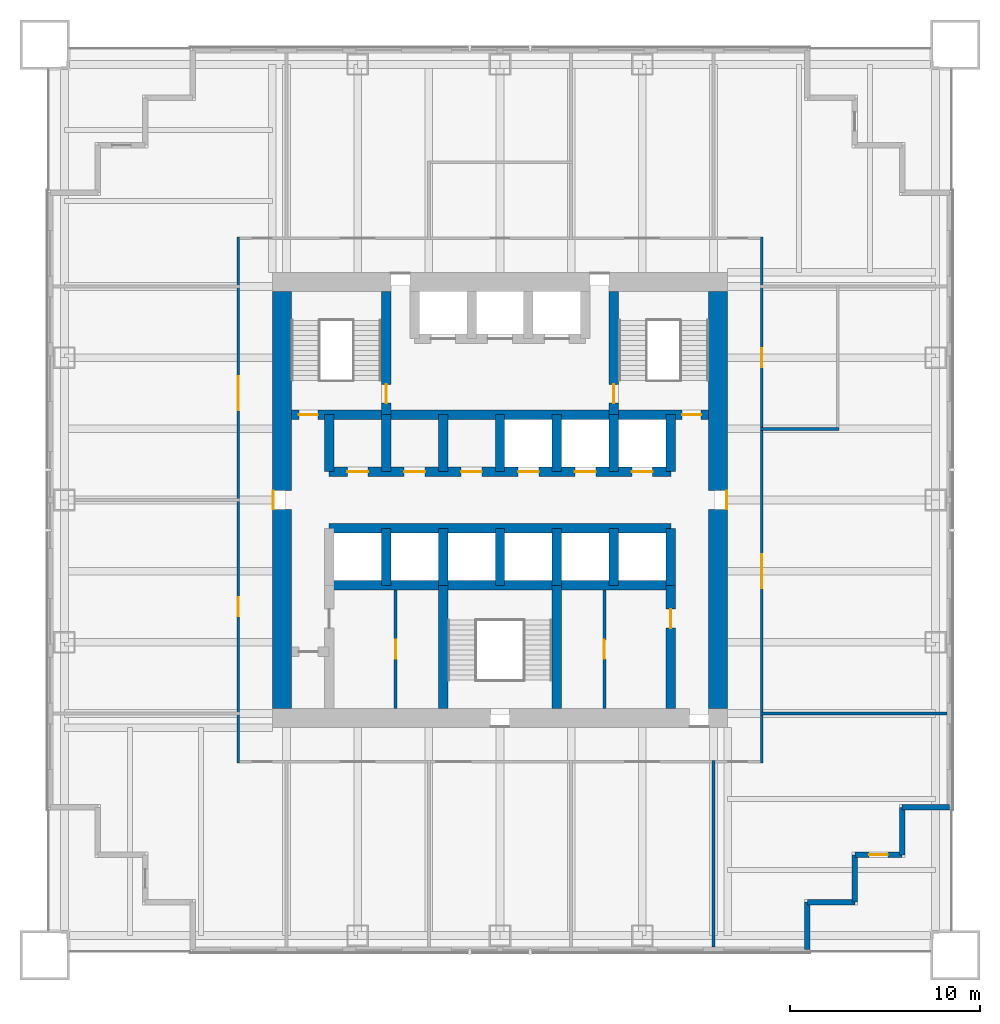
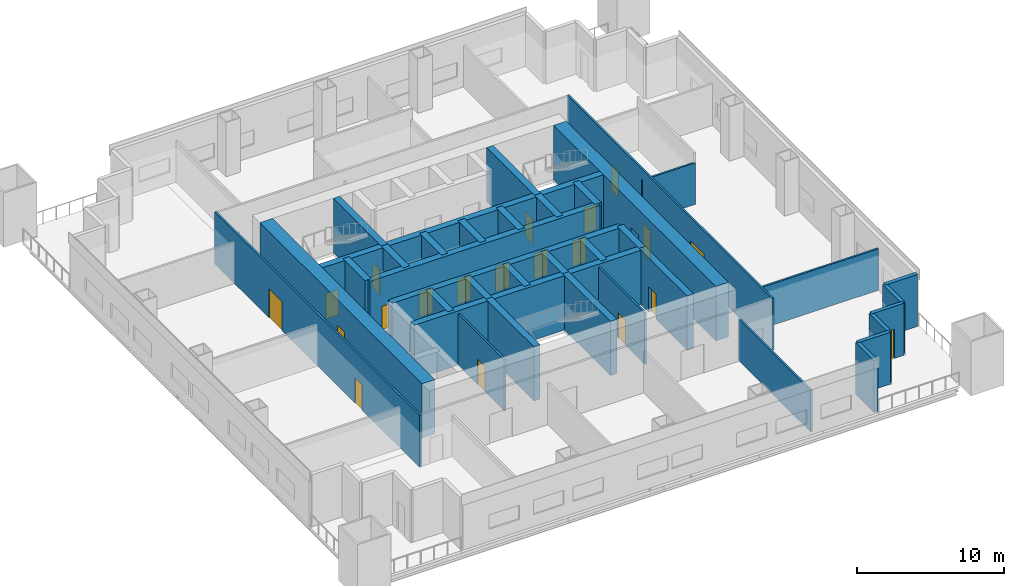
# One storey, part 3 of 7: 37 walls, 20 doors, 20 openings.
"""IFC4 building model written with IfcOpenShell, lengths in metres."""

from ifc_helpers import new_model, si_unit, direction, frame, frame_2d, origin, place, context, subcontext, project, spatial, rectangle, extrude, material, layer, layer_set, type_object, element, fill, save


model = new_model("IFC4")

# Units and contexts
model_context = context("Model", 3, precision=1e-05, world=origin(), true_north=direction((0.0, 1.0)))
body_context = subcontext(model_context, "Body", "Model", "MODEL_VIEW")
ifc_project = project(units=[si_unit("LENGTHUNIT", "METRE"), si_unit("AREAUNIT", "SQUARE_METRE"), si_unit("VOLUMEUNIT", "CUBIC_METRE"), si_unit("PLANEANGLEUNIT", "RADIAN"), si_unit("MASSUNIT", "GRAM", prefix="KILO")], contexts=[model_context])

# Site, building, storey
site_placement = place(None, origin())
site = spatial("IfcSite", under=ifc_project, at=site_placement, CompositionType="ELEMENT")
building_placement = place(site_placement, origin())
building = spatial("IfcBuilding", under=site, at=building_placement, Name="Tarangal Relay Tower", CompositionType="ELEMENT")
storey_placement = place(building_placement, frame((0.0, 0.0, 122.39990234375)))
storey = spatial("IfcBuildingStorey", under=building, at=storey_placement, Name="L24", CompositionType="ELEMENT", Elevation=122.39990234375)

# Wall, openings, doors
ifc_material_1 = material(Name="Concrete fc' 60 MPa", Category="concrete")
ifc_layer_1 = layer(ifc_material_1, 0.5)
ifc_layer_set_1 = layer_set([ifc_layer_1], Name="Core inner wall 500")
wall_type_1 = type_object("IfcWallType", Name="Core inner wall 500", PredefinedType="SHEAR", material=ifc_layer_set_1)
wall_1_placement = place(storey_placement, frame((-11.0, 4.5, 0.0), z_axis=(0.0, 0.0, 1.0), x_axis=(1.0, 0.0, 0.0)))
wall_1 = element("IfcWall", 1, at=wall_1_placement, inside=storey, type_object=wall_type_1, Name="Core wall Y45 L24", PredefinedType="SHEAR", context=body_context, shape_type="SweptSolid", body=[
    extrude(rectangle(XDim=22.0, YDim=0.5, at=frame_2d((11.0, 0.0))), origin(), (0.0, 0.0, 1.0), 4.5),
])
opening_1_placement = place(wall_1_placement, frame((0.39990234375, 0.0, 0.0)))
opening_1 = element("IfcOpeningElement", 2, at=opening_1_placement, cuts=wall_1, Name="Opening FD1", PredefinedType="OPENING", context=body_context, shape_type="SweptSolid", body=[
    extrude(rectangle(XDim=1.0, YDim=2.10009765625, at=frame_2d((0.5, 1.050048828125))), frame((0.0, 0.260009765625, 0.0), z_axis=(0.0, -1.0, 0.0), x_axis=(1.0, 0.0, 0.0)), (0.0, 0.0, 1.0), 0.52001953125),
])
opening_2_placement = place(wall_1_placement, frame((20.60009765625, 0.0, 0.0)))
opening_2 = element("IfcOpeningElement", 3, at=opening_2_placement, cuts=wall_1, Name="Opening FD1", PredefinedType="OPENING", context=body_context, shape_type="SweptSolid", body=[
    extrude(rectangle(XDim=1.0, YDim=2.10009765625, at=frame_2d((0.5, 1.050048828125))), frame((0.0, 0.260009765625, 0.0), z_axis=(0.0, -1.0, 0.0), x_axis=(1.0, 0.0, 0.0)), (0.0, 0.0, 1.0), 0.52001953125),
])
ifc_material_2 = material(Name="Steel door with hardwood frame", Category="steel")
door_type_1 = type_object("IfcDoorType", Name="Fire door 1000 x 2100", OperationType="SINGLE_SWING_LEFT", PredefinedType="DOOR", material=ifc_material_2)
door_1_placement = place(opening_1_placement, origin())
door_1 = element("IfcDoor", 4, at=door_1_placement, inside=storey, type_object=door_type_1, Name="Stair ST-A door from corridor L24", OperationType="SINGLE_SWING_LEFT", OverallHeight=2.10009765625, OverallWidth=1.0, PredefinedType="DOOR", context=body_context, shape_type="SweptSolid", body=[
    extrude(rectangle(XDim=1.0, YDim=2.10009765625, at=frame_2d((0.5, 1.050048828125))), frame((0.0, 0.02490234375, 0.0), z_axis=(0.0, -1.0, 0.0), x_axis=(1.0, 0.0, 0.0)), (0.0, 0.0, 1.0), 0.050048828125),
])
fill(opening_1, door_1)
door_2_placement = place(opening_2_placement, origin())
door_2 = element("IfcDoor", 5, at=door_2_placement, inside=storey, type_object=door_type_1, Name="Stair ST-B door from corridor L24", OperationType="SINGLE_SWING_LEFT", OverallHeight=2.10009765625, OverallWidth=1.0, PredefinedType="DOOR", context=body_context, shape_type="SweptSolid", body=[
    extrude(rectangle(XDim=1.0, YDim=2.10009765625, at=frame_2d((0.5, 1.050048828125))), frame((0.0, 0.02490234375, 0.0), z_axis=(0.0, -1.0, 0.0), x_axis=(1.0, 0.0, 0.0)), (0.0, 0.0, 1.0), 0.050048828125),
])
fill(opening_2, door_2)

wall_2_placement = place(storey_placement, frame((-9.0, 1.5, 0.0), z_axis=(0.0, 0.0, 1.0), x_axis=(1.0, 0.0, 0.0)))
wall_2 = element("IfcWall", 6, at=wall_2_placement, inside=storey, type_object=wall_type_1, Name="Core wall Y15 L24", PredefinedType="SHEAR", context=body_context, shape_type="SweptSolid", body=[
    extrude(rectangle(XDim=18.0, YDim=0.5, at=frame_2d((9.0, 0.0))), origin(), (0.0, 0.0, 1.0), 4.5),
])
opening_3_placement = place(wall_2_placement, frame((9.949951171875, 0.0, 0.0)))
opening_3 = element("IfcOpeningElement", 7, at=opening_3_placement, cuts=wall_2, Name="Opening LD1", PredefinedType="OPENING", context=body_context, shape_type="SweptSolid", body=[
    extrude(rectangle(XDim=1.10009765625, YDim=2.10009765625, at=frame_2d((0.550048828125, 1.050048828125))), frame((0.0, 0.260009765625, 0.0), z_axis=(0.0, -1.0, 0.0), x_axis=(1.0, 0.0, 0.0)), (0.0, 0.0, 1.0), 0.52001953125),
])
opening_4_placement = place(wall_2_placement, frame((12.949951171875, 0.0, 0.0)))
opening_4 = element("IfcOpeningElement", 8, at=opening_4_placement, cuts=wall_2, Name="Opening LD1", PredefinedType="OPENING", context=body_context, shape_type="SweptSolid", body=[
    extrude(rectangle(XDim=1.10009765625, YDim=2.10009765625, at=frame_2d((0.550048828125, 1.050048828125))), frame((0.0, 0.260009765625, 0.0), z_axis=(0.0, -1.0, 0.0), x_axis=(1.0, 0.0, 0.0)), (0.0, 0.0, 1.0), 0.52001953125),
])
opening_5_placement = place(wall_2_placement, frame((15.949951171875, 0.0, 0.0)))
opening_5 = element("IfcOpeningElement", 9, at=opening_5_placement, cuts=wall_2, Name="Opening LD1", PredefinedType="OPENING", context=body_context, shape_type="SweptSolid", body=[
    extrude(rectangle(XDim=1.10009765625, YDim=2.10009765625, at=frame_2d((0.550048828125, 1.050048828125))), frame((0.0, 0.260009765625, 0.0), z_axis=(0.0, -1.0, 0.0), x_axis=(1.0, 0.0, 0.0)), (0.0, 0.0, 1.0), 0.52001953125),
])
opening_6_placement = place(wall_2_placement, frame((0.949951171875, 0.0, 0.0)))
opening_6 = element("IfcOpeningElement", 10, at=opening_6_placement, cuts=wall_2, Name="Opening D4", PredefinedType="OPENING", context=body_context, shape_type="SweptSolid", body=[
    extrude(rectangle(XDim=1.10009765625, YDim=2.10009765625, at=frame_2d((0.550048828125, 1.050048828125))), frame((0.0, 0.260009765625, 0.0), z_axis=(0.0, -1.0, 0.0), x_axis=(1.0, 0.0, 0.0)), (0.0, 0.0, 1.0), 0.52001953125),
])
opening_7_placement = place(wall_2_placement, frame((3.949951171875, 0.0, 0.0)))
opening_7 = element("IfcOpeningElement", 11, at=opening_7_placement, cuts=wall_2, Name="Opening D4", PredefinedType="OPENING", context=body_context, shape_type="SweptSolid", body=[
    extrude(rectangle(XDim=1.10009765625, YDim=2.10009765625, at=frame_2d((0.550048828125, 1.050048828125))), frame((0.0, 0.260009765625, 0.0), z_axis=(0.0, -1.0, 0.0), x_axis=(1.0, 0.0, 0.0)), (0.0, 0.0, 1.0), 0.52001953125),
])
opening_8_placement = place(wall_2_placement, frame((6.949951171875, 0.0, 0.0)))
opening_8 = element("IfcOpeningElement", 12, at=opening_8_placement, cuts=wall_2, Name="Opening D4", PredefinedType="OPENING", context=body_context, shape_type="SweptSolid", body=[
    extrude(rectangle(XDim=1.10009765625, YDim=2.10009765625, at=frame_2d((0.550048828125, 1.050048828125))), frame((0.0, 0.260009765625, 0.0), z_axis=(0.0, -1.0, 0.0), x_axis=(1.0, 0.0, 0.0)), (0.0, 0.0, 1.0), 0.52001953125),
])
door_type_2 = type_object("IfcDoorType", Name="Core room door 1100 x 2100", OperationType="SINGLE_SWING_RIGHT", PredefinedType="DOOR", material=ifc_material_2)
door_3_placement = place(opening_6_placement, origin())
door_3 = element("IfcDoor", 13, at=door_3_placement, inside=storey, type_object=door_type_2, Name="Door D4 to staff wc L24-D1", OperationType="SINGLE_SWING_RIGHT", OverallHeight=2.10009765625, OverallWidth=1.10009765625, PredefinedType="DOOR", context=body_context, shape_type="SweptSolid", body=[
    extrude(rectangle(XDim=1.10009765625, YDim=2.10009765625, at=frame_2d((0.550048828125, 1.050048828125))), frame((0.0, 0.02490234375, 0.0), z_axis=(0.0, -1.0, 0.0), x_axis=(1.0, 0.0, 0.0)), (0.0, 0.0, 1.0), 0.050048828125),
])
fill(opening_6, door_3)
door_4_placement = place(opening_7_placement, origin())
door_4 = element("IfcDoor", 14, at=door_4_placement, inside=storey, type_object=door_type_2, Name="Door D4 to cleaner's store L24-D2", OperationType="SINGLE_SWING_RIGHT", OverallHeight=2.10009765625, OverallWidth=1.10009765625, PredefinedType="DOOR", context=body_context, shape_type="SweptSolid", body=[
    extrude(rectangle(XDim=1.10009765625, YDim=2.10009765625, at=frame_2d((0.550048828125, 1.050048828125))), frame((0.0, 0.02490234375, 0.0), z_axis=(0.0, -1.0, 0.0), x_axis=(1.0, 0.0, 0.0)), (0.0, 0.0, 1.0), 0.050048828125),
])
fill(opening_7, door_4)
door_5_placement = place(opening_8_placement, origin())
door_5 = element("IfcDoor", 15, at=door_5_placement, inside=storey, type_object=door_type_2, Name="Door D4 to it room L24-D3", OperationType="SINGLE_SWING_RIGHT", OverallHeight=2.10009765625, OverallWidth=1.10009765625, PredefinedType="DOOR", context=body_context, shape_type="SweptSolid", body=[
    extrude(rectangle(XDim=1.10009765625, YDim=2.10009765625, at=frame_2d((0.550048828125, 1.050048828125))), frame((0.0, 0.02490234375, 0.0), z_axis=(0.0, -1.0, 0.0), x_axis=(1.0, 0.0, 0.0)), (0.0, 0.0, 1.0), 0.050048828125),
])
fill(opening_8, door_5)
door_type_3 = type_object("IfcDoorType", Name="Lift landing door 1100 x 2100", OperationType="SLIDING_TO_LEFT", PredefinedType="DOOR", material=ifc_material_2)
door_6_placement = place(opening_3_placement, origin())
door_6 = element("IfcDoor", 16, at=door_6_placement, inside=storey, type_object=door_type_3, Name="Lift T1 landing door L24", OperationType="SLIDING_TO_LEFT", OverallHeight=2.10009765625, OverallWidth=1.10009765625, PredefinedType="DOOR", context=body_context, shape_type="SweptSolid", body=[
    extrude(rectangle(XDim=1.10009765625, YDim=2.10009765625, at=frame_2d((0.550048828125, 1.050048828125))), frame((0.0, 0.02490234375, 0.0), z_axis=(0.0, -1.0, 0.0), x_axis=(1.0, 0.0, 0.0)), (0.0, 0.0, 1.0), 0.050048828125),
])
fill(opening_3, door_6)
door_7_placement = place(opening_4_placement, origin())
door_7 = element("IfcDoor", 17, at=door_7_placement, inside=storey, type_object=door_type_3, Name="Lift T2 landing door L24", OperationType="SLIDING_TO_LEFT", OverallHeight=2.10009765625, OverallWidth=1.10009765625, PredefinedType="DOOR", context=body_context, shape_type="SweptSolid", body=[
    extrude(rectangle(XDim=1.10009765625, YDim=2.10009765625, at=frame_2d((0.550048828125, 1.050048828125))), frame((0.0, 0.02490234375, 0.0), z_axis=(0.0, -1.0, 0.0), x_axis=(1.0, 0.0, 0.0)), (0.0, 0.0, 1.0), 0.050048828125),
])
fill(opening_4, door_7)
door_8_placement = place(opening_5_placement, origin())
door_8 = element("IfcDoor", 18, at=door_8_placement, inside=storey, type_object=door_type_3, Name="Lift T3 landing door L24", OperationType="SLIDING_TO_LEFT", OverallHeight=2.10009765625, OverallWidth=1.10009765625, PredefinedType="DOOR", context=body_context, shape_type="SweptSolid", body=[
    extrude(rectangle(XDim=1.10009765625, YDim=2.10009765625, at=frame_2d((0.550048828125, 1.050048828125))), frame((0.0, 0.02490234375, 0.0), z_axis=(0.0, -1.0, 0.0), x_axis=(1.0, 0.0, 0.0)), (0.0, 0.0, 1.0), 0.050048828125),
])
fill(opening_5, door_8)

# Walls
for number, where, z_axis, x_axis, name in (
    (19, (-9.0, -1.5, 0.0), (0.0, 0.0, 1.0), (1.0, 0.0, 0.0), "Core wall YM15 L24"),
    (20, (-9.0, -4.5, 0.0), (0.0, 0.0, 1.0), (1.0, 0.0, 0.0), "Core wall YM45 L24"),
):
    element("IfcWall", number, at=place(storey_placement, frame(where, z_axis=z_axis, x_axis=x_axis)), inside=storey, type_object=wall_type_1, Name=name, PredefinedType="SHEAR", context=body_context, shape_type="SweptSolid", body=[
        extrude(rectangle(XDim=18.0, YDim=0.5, at=frame_2d((9.0, 0.0))), origin(), (0.0, 0.0, 1.0), 4.5),
    ])
for number, where, z_axis, x_axis, name in (
    (21, (-9.0, 1.5, 0.0), (0.0, 0.0, 1.0), (0.0, 1.0, 0.0), "Core wall XM9N L24"),
    (22, (9.0, 1.5, 0.0), (0.0, 0.0, 1.0), (0.0, 1.0, 0.0), "Core wall X9N L24"),
    (23, (9.0, -4.5, 0.0), (0.0, 0.0, 1.0), (0.0, 1.0, 0.0), "Core wall X9S L24"),
    (24, (-6.0, 1.5, 0.0), (0.0, 0.0, 1.0), (0.0, 1.0, 0.0), "Core wall XM6N L24"),
    (25, (-3.0, 1.5, 0.0), (0.0, 0.0, 1.0), (0.0, 1.0, 0.0), "Core wall XM3N L24"),
    (26, (0.0, 1.5, 0.0), (0.0, 0.0, 1.0), (0.0, 1.0, 0.0), "Core wall X0N L24"),
    (27, (3.0, 1.5, 0.0), (0.0, 0.0, 1.0), (0.0, 1.0, 0.0), "Core wall X3N L24"),
    (28, (6.0, 1.5, 0.0), (0.0, 0.0, 1.0), (0.0, 1.0, 0.0), "Core wall X6N L24"),
    (29, (-6.0, -4.5, 0.0), (0.0, 0.0, 1.0), (0.0, 1.0, 0.0), "Core wall XM6S L24"),
    (30, (-3.0, -4.5, 0.0), (0.0, 0.0, 1.0), (0.0, 1.0, 0.0), "Core wall XM3S L24"),
    (31, (0.0, -4.5, 0.0), (0.0, 0.0, 1.0), (0.0, 1.0, 0.0), "Core wall X0S L24"),
    (32, (3.0, -4.5, 0.0), (0.0, 0.0, 1.0), (0.0, 1.0, 0.0), "Core wall X3S L24"),
    (33, (6.0, -4.5, 0.0), (0.0, 0.0, 1.0), (0.0, 1.0, 0.0), "Core wall X6S L24"),
):
    element("IfcWall", number, at=place(storey_placement, frame(where, z_axis=z_axis, x_axis=x_axis)), inside=storey, type_object=wall_type_1, Name=name, PredefinedType="SHEAR", context=body_context, shape_type="SweptSolid", body=[
        extrude(rectangle(XDim=3.0, YDim=0.5, at=frame_2d((1.5, 0.0))), origin(), (0.0, 0.0, 1.0), 4.5),
    ])

# Wall, opening, door
wall_3_placement = place(storey_placement, frame((-6.0, 4.5, 0.0), z_axis=(0.0, 0.0, 1.0), x_axis=(0.0, 1.0, 0.0)))
wall_3 = element("IfcWall", 34, at=wall_3_placement, inside=storey, type_object=wall_type_1, Name="Core wall XM6 L24", PredefinedType="SHEAR", context=body_context, shape_type="SweptSolid", body=[
    extrude(rectangle(XDim=6.5, YDim=0.5, at=frame_2d((3.25, 0.0))), origin(), (0.0, 0.0, 1.0), 4.5),
])
opening_9_placement = place(wall_3_placement, frame((0.60009765625, 0.0, 0.0)))
opening_9 = element("IfcOpeningElement", 35, at=opening_9_placement, cuts=wall_3, Name="Opening FD1", PredefinedType="OPENING", context=body_context, shape_type="SweptSolid", body=[
    extrude(rectangle(XDim=1.0, YDim=2.10009765625, at=frame_2d((0.5, 1.050048828125))), frame((0.0, 0.260009765625, 0.0), z_axis=(0.0, -1.0, 0.0), x_axis=(1.0, 0.0, 0.0)), (0.0, 0.0, 1.0), 0.52001953125),
])
door_9_placement = place(opening_9_placement, origin())
door_9 = element("IfcDoor", 36, at=door_9_placement, inside=storey, type_object=door_type_1, Name="Stair ST-A door from fire-fighting lobby L24", OperationType="SINGLE_SWING_LEFT", OverallHeight=2.10009765625, OverallWidth=1.0, PredefinedType="DOOR", context=body_context, shape_type="SweptSolid", body=[
    extrude(rectangle(XDim=1.0, YDim=2.10009765625, at=frame_2d((0.5, 1.050048828125))), frame((0.0, 0.02490234375, 0.0), z_axis=(0.0, -1.0, 0.0), x_axis=(1.0, 0.0, 0.0)), (0.0, 0.0, 1.0), 0.050048828125),
])
fill(opening_9, door_9)

wall_4_placement = place(storey_placement, frame((6.0, 4.5, 0.0), z_axis=(0.0, 0.0, 1.0), x_axis=(0.0, 1.0, 0.0)))
wall_4 = element("IfcWall", 37, at=wall_4_placement, inside=storey, type_object=wall_type_1, Name="Core wall X6 L24", PredefinedType="SHEAR", context=body_context, shape_type="SweptSolid", body=[
    extrude(rectangle(XDim=6.5, YDim=0.5, at=frame_2d((3.25, 0.0))), origin(), (0.0, 0.0, 1.0), 4.5),
])
opening_10_placement = place(wall_4_placement, frame((0.60009765625, 0.0, 0.0)))
opening_10 = element("IfcOpeningElement", 38, at=opening_10_placement, cuts=wall_4, Name="Opening FD1", PredefinedType="OPENING", context=body_context, shape_type="SweptSolid", body=[
    extrude(rectangle(XDim=1.0, YDim=2.10009765625, at=frame_2d((0.5, 1.050048828125))), frame((0.0, 0.260009765625, 0.0), z_axis=(0.0, -1.0, 0.0), x_axis=(1.0, 0.0, 0.0)), (0.0, 0.0, 1.0), 0.52001953125),
])
door_10_placement = place(opening_10_placement, origin())
door_10 = element("IfcDoor", 39, at=door_10_placement, inside=storey, type_object=door_type_1, Name="Stair ST-B door from fire-fighting lobby L24", OperationType="SINGLE_SWING_LEFT", OverallHeight=2.10009765625, OverallWidth=1.0, PredefinedType="DOOR", context=body_context, shape_type="SweptSolid", body=[
    extrude(rectangle(XDim=1.0, YDim=2.10009765625, at=frame_2d((0.5, 1.050048828125))), frame((0.0, 0.02490234375, 0.0), z_axis=(0.0, -1.0, 0.0), x_axis=(1.0, 0.0, 0.0)), (0.0, 0.0, 1.0), 0.050048828125),
])
fill(opening_10, door_10)

wall_5_placement = place(storey_placement, frame((9.0, -11.0, 0.0), z_axis=(0.0, 0.0, 1.0), x_axis=(0.0, 1.0, 0.0)))
wall_5 = element("IfcWall", 40, at=wall_5_placement, inside=storey, type_object=wall_type_1, Name="Core wall X9W L24", PredefinedType="SHEAR", context=body_context, shape_type="SweptSolid", body=[
    extrude(rectangle(XDim=6.5, YDim=0.5, at=frame_2d((3.25, 0.0))), origin(), (0.0, 0.0, 1.0), 4.5),
])
opening_11_placement = place(wall_5_placement, frame((4.25, 0.0, 0.0)))
opening_11 = element("IfcOpeningElement", 41, at=opening_11_placement, cuts=wall_5, Name="Opening D1", PredefinedType="OPENING", context=body_context, shape_type="SweptSolid", body=[
    extrude(rectangle(XDim=1.0, YDim=2.10009765625, at=frame_2d((0.5, 1.050048828125))), frame((0.0, 0.260009765625, 0.0), z_axis=(0.0, -1.0, 0.0), x_axis=(1.0, 0.0, 0.0)), (0.0, 0.0, 1.0), 0.52001953125),
])
ifc_material_3 = material(Name="Hardwood door", Category="wood")
door_type_4 = type_object("IfcDoorType", Name="WC door 1000 x 2100", OperationType="SINGLE_SWING_LEFT", PredefinedType="DOOR", material=ifc_material_3)
door_11_placement = place(opening_11_placement, origin())
door_11 = element("IfcDoor", 42, at=door_11_placement, inside=storey, type_object=door_type_4, Name="Female WC door L24", OperationType="SINGLE_SWING_LEFT", OverallHeight=2.10009765625, OverallWidth=1.0, PredefinedType="DOOR", context=body_context, shape_type="SweptSolid", body=[
    extrude(rectangle(XDim=1.0, YDim=2.10009765625, at=frame_2d((0.5, 1.050048828125))), frame((0.0, 0.02490234375, 0.0), z_axis=(0.0, -1.0, 0.0), x_axis=(1.0, 0.0, 0.0)), (0.0, 0.0, 1.0), 0.050048828125),
])
fill(opening_11, door_11)

# Walls
for number, where, z_axis, x_axis, name in (
    (43, (-3.0, -11.0, 0.0), (0.0, 0.0, 1.0), (0.0, 1.0, 0.0), "Core wall XM3W L24"),
    (44, (3.0, -11.0, 0.0), (0.0, 0.0, 1.0), (0.0, 1.0, 0.0), "Core wall X3W L24"),
):
    element("IfcWall", number, at=place(storey_placement, frame(where, z_axis=z_axis, x_axis=x_axis)), inside=storey, type_object=wall_type_1, Name=name, PredefinedType="SHEAR", context=body_context, shape_type="SweptSolid", body=[
        extrude(rectangle(XDim=6.5, YDim=0.5, at=frame_2d((3.25, 0.0))), origin(), (0.0, 0.0, 1.0), 4.5),
    ])

# Wall, opening, door
ifc_layer_2 = layer(ifc_material_1, 1.0)
ifc_layer_set_2 = layer_set([ifc_layer_2], Name="Core wall 1000")
wall_type_2 = type_object("IfcWallType", Name="Core wall 1000", PredefinedType="SHEAR", material=ifc_layer_set_2)
wall_6_placement = place(storey_placement, frame((11.5, 11.0, 0.0), z_axis=(0.0, 0.0, 1.0), x_axis=(0.0, -1.0, 0.0)))
wall_6 = element("IfcWall", 45, at=wall_6_placement, inside=storey, type_object=wall_type_2, Name="Core wall E L24", PredefinedType="SHEAR", context=body_context, shape_type="SweptSolid", body=[
    extrude(rectangle(XDim=22.0, YDim=1.0, at=frame_2d((11.0, 0.0))), origin(), (0.0, 0.0, 1.0), 4.5),
])
opening_12_placement = place(wall_6_placement, frame((10.5, 0.0, 0.0)))
opening_12 = element("IfcOpeningElement", 46, at=opening_12_placement, cuts=wall_6, Name="Opening FD3", PredefinedType="OPENING", context=body_context, shape_type="SweptSolid", body=[
    extrude(rectangle(XDim=1.0, YDim=2.39990234375, at=frame_2d((0.5, 1.199951171875))), frame((0.0, 0.510009765625, 0.0), z_axis=(0.0, -1.0, 0.0), x_axis=(1.0, 0.0, 0.0)), (0.0, 0.0, 1.0), 1.02001953125),
])
door_type_5 = type_object("IfcDoorType", Name="Fire door 1000 x 2400 core entry", OperationType="SINGLE_SWING_RIGHT", PredefinedType="DOOR", material=ifc_material_2)
door_12_placement = place(opening_12_placement, origin())
door_12 = element("IfcDoor", 47, at=door_12_placement, inside=storey, type_object=door_type_5, Name="Core entry door east L24", OperationType="SINGLE_SWING_RIGHT", OverallHeight=2.39990234375, OverallWidth=1.0, PredefinedType="DOOR", context=body_context, shape_type="SweptSolid", body=[
    extrude(rectangle(XDim=1.0, YDim=2.39990234375, at=frame_2d((0.5, 1.199951171875))), frame((0.0, 0.48486328125, 0.0), z_axis=(0.0, -1.0, 0.0), x_axis=(1.0, 0.0, 0.0)), (0.0, 0.0, 1.0), 0.050048828125),
])
fill(opening_12, door_12)

wall_7_placement = place(storey_placement, frame((-11.5, -11.0, 0.0), z_axis=(0.0, 0.0, 1.0), x_axis=(0.0, 1.0, 0.0)))
wall_7 = element("IfcWall", 48, at=wall_7_placement, inside=storey, type_object=wall_type_2, Name="Core wall W L24", PredefinedType="SHEAR", context=body_context, shape_type="SweptSolid", body=[
    extrude(rectangle(XDim=22.0, YDim=1.0, at=frame_2d((11.0, 0.0))), origin(), (0.0, 0.0, 1.0), 4.5),
])
opening_13_placement = place(wall_7_placement, frame((10.5, 0.0, 0.0)))
opening_13 = element("IfcOpeningElement", 49, at=opening_13_placement, cuts=wall_7, Name="Opening FD3", PredefinedType="OPENING", context=body_context, shape_type="SweptSolid", body=[
    extrude(rectangle(XDim=1.0, YDim=2.39990234375, at=frame_2d((0.5, 1.199951171875))), frame((0.0, 0.510009765625, 0.0), z_axis=(0.0, -1.0, 0.0), x_axis=(1.0, 0.0, 0.0)), (0.0, 0.0, 1.0), 1.02001953125),
])
door_13_placement = place(opening_13_placement, origin())
door_13 = element("IfcDoor", 50, at=door_13_placement, inside=storey, type_object=door_type_5, Name="Core entry door west L24", OperationType="SINGLE_SWING_RIGHT", OverallHeight=2.39990234375, OverallWidth=1.0, PredefinedType="DOOR", context=body_context, shape_type="SweptSolid", body=[
    extrude(rectangle(XDim=1.0, YDim=2.39990234375, at=frame_2d((0.5, 1.199951171875))), frame((0.0, 0.48486328125, 0.0), z_axis=(0.0, -1.0, 0.0), x_axis=(1.0, 0.0, 0.0)), (0.0, 0.0, 1.0), 0.050048828125),
])
fill(opening_13, door_13)

# Walls
ifc_material_4 = material(Name="Insulated precast concrete fc' 40 MPa", Category="concrete")
ifc_layer_3 = layer(ifc_material_4, 0.300048828125)
ifc_layer_set_3 = layer_set([ifc_layer_3], Name="Insulated precast concrete fc' 40 MPa")
wall_type_3 = type_object("IfcWallType", Name="Facade wall precast 300", PredefinedType="SOLIDWALL", material=ifc_layer_set_3)
for number, where, z_axis, x_axis, name in (
    (51, (23.699951171875, -16.199951171875, 0.0), (0.0, 0.0, 1.0), (-1.0, 0.0, 0.0), "Facade wall E facade L24"),
    (52, (21.199951171875, -16.199951171875, 0.0), (0.0, 0.0, 1.0), (0.0, -1.0, 0.0), "Facade wall E facade L24"),
):
    element("IfcWall", number, at=place(storey_placement, frame(where, z_axis=z_axis, x_axis=x_axis)), inside=storey, type_object=wall_type_3, Name=name, PredefinedType="SOLIDWALL", context=body_context, shape_type="SweptSolid", body=[
        extrude(rectangle(XDim=2.5, YDim=0.300048828125, at=frame_2d((1.25, 0.0))), origin(), (0.0, 0.0, 1.0), 4.300048828125),
    ])

# Wall, opening, door
wall_8_placement = place(storey_placement, frame((21.199951171875, -18.699951171875, 0.0), z_axis=(0.0, 0.0, 1.0), x_axis=(-1.0, 0.0, 0.0)))
wall_8 = element("IfcWall", 53, at=wall_8_placement, inside=storey, type_object=wall_type_3, Name="Facade wall E facade L24", PredefinedType="SOLIDWALL", context=body_context, shape_type="SweptSolid", body=[
    extrude(rectangle(XDim=2.5, YDim=0.300048828125, at=frame_2d((1.25, 0.0))), origin(), (0.0, 0.0, 1.0), 4.300048828125),
])
opening_14_placement = place(wall_8_placement, frame((0.75, 0.0, 0.0)))
opening_14 = element("IfcOpeningElement", 54, at=opening_14_placement, cuts=wall_8, Name="Opening TD1", PredefinedType="OPENING", context=body_context, shape_type="SweptSolid", body=[
    extrude(rectangle(XDim=1.0, YDim=2.39990234375, at=frame_2d((0.5, 1.199951171875))), frame((0.0, 0.159912109375, 0.0), z_axis=(0.0, -1.0, 0.0), x_axis=(1.0, 0.0, 0.0)), (0.0, 0.0, 1.0), 0.320068359375),
])
ifc_material_5 = material(Name="Aluminium glazed door", Category="aluminium")
door_type_6 = type_object("IfcDoorType", Name="Terrace door 1000 x 2400", OperationType="SINGLE_SWING_RIGHT", PredefinedType="DOOR", material=ifc_material_5)
door_14_placement = place(opening_14_placement, origin())
door_14 = element("IfcDoor", 55, at=door_14_placement, inside=storey, type_object=door_type_6, Name="Terrace door TD1 SE L24", OperationType="SINGLE_SWING_RIGHT", OverallHeight=2.39990234375, OverallWidth=1.0, PredefinedType="DOOR", context=body_context, shape_type="SweptSolid", body=[
    extrude(rectangle(XDim=1.0, YDim=2.39990234375, at=frame_2d((0.5, 1.199951171875))), frame((0.0, 0.02490234375, 0.0), z_axis=(0.0, -1.0, 0.0), x_axis=(1.0, 0.0, 0.0)), (0.0, 0.0, 1.0), 0.050048828125),
])
fill(opening_14, door_14)

# Walls
for number, where, z_axis, x_axis, name in (
    (56, (18.699951171875, -18.699951171875, 0.0), (0.0, 0.0, 1.0), (0.0, -1.0, 0.0), "Facade wall E facade L24"),
    (57, (18.699951171875, -21.199951171875, 0.0), (0.0, 0.0, 1.0), (-1.0, 0.0, 0.0), "Facade wall E facade L24"),
    (58, (16.199951171875, -21.199951171875, 0.0), (0.0, 0.0, 1.0), (0.0, -1.0, 0.0), "Facade wall E facade L24"),
):
    element("IfcWall", number, at=place(storey_placement, frame(where, z_axis=z_axis, x_axis=x_axis)), inside=storey, type_object=wall_type_3, Name=name, PredefinedType="SOLIDWALL", context=body_context, shape_type="SweptSolid", body=[
        extrude(rectangle(XDim=2.5, YDim=0.300048828125, at=frame_2d((1.25, 0.0))), origin(), (0.0, 0.0, 1.0), 4.300048828125),
    ])
ifc_material_6 = material(Name="Gypsum board on steel studs", Category="steel")
ifc_layer_4 = layer(ifc_material_6, 0.14990234375)
ifc_layer_set_4 = layer_set([ifc_layer_4], Name="Partition 150")
wall_type_4 = type_object("IfcWallType", Name="Partition 150", PredefinedType="PARTITIONING", material=ifc_layer_set_4)
wall_9_placement = place(storey_placement, frame((13.72509765625, -11.25, 0.0), z_axis=(0.0, 0.0, 1.0), x_axis=(1.0, 0.0, 0.0)))
element("IfcWall", 59, at=wall_9_placement, inside=storey, type_object=wall_type_4, Name="Partition PT1 L24", PredefinedType="PARTITIONING", context=body_context, shape_type="SweptSolid", body=[
    extrude(rectangle(XDim=9.824951171875, YDim=0.14990234375, at=frame_2d((4.91259765625, 0.0))), origin(), (0.0, 0.0, 1.0), 3.431396484375),
])
wall_10_placement = place(storey_placement, frame((13.72509765625, 3.75, 0.0), z_axis=(0.0, 0.0, 1.0), x_axis=(1.0, 0.0, 0.0)))
element("IfcWall", 60, at=wall_10_placement, inside=storey, type_object=wall_type_4, Name="Partition PT1 L24", PredefinedType="PARTITIONING", context=body_context, shape_type="SweptSolid", body=[
    extrude(rectangle(XDim=4.14990234375, YDim=0.14990234375, at=frame_2d((2.074951171875, 0.0))), origin(), (0.0, 0.0, 1.0), 3.431396484375),
])

# Wall, openings, doors
wall_11_placement = place(storey_placement, frame((-13.800048828125, -13.875, 0.0), z_axis=(0.0, 0.0, 1.0), x_axis=(0.0, 1.0, 0.0)))
wall_11 = element("IfcWall", 61, at=wall_11_placement, inside=storey, type_object=wall_type_4, Name="Partition PT1 L24", PredefinedType="PARTITIONING", context=body_context, shape_type="SweptSolid", body=[
    extrude(rectangle(XDim=27.75, YDim=0.14990234375, at=frame_2d((13.875, 0.0))), origin(), (0.0, 0.0, 1.0), 4.300048828125),
])
opening_15_placement = place(wall_11_placement, frame((7.75, 0.0, 0.0)))
opening_15 = element("IfcOpeningElement", 62, at=opening_15_placement, cuts=wall_11, Name="Opening D2", PredefinedType="OPENING", context=body_context, shape_type="SweptSolid", body=[
    extrude(rectangle(XDim=1.0, YDim=2.10009765625, at=frame_2d((0.5, 1.050048828125))), frame((0.0, 0.0849609375, 0.0), z_axis=(0.0, -1.0, 0.0), x_axis=(1.0, 0.0, 0.0)), (0.0, 0.0, 1.0), 0.169921875),
])
opening_16_placement = place(wall_11_placement, frame((18.60009765625, 0.0, 0.0)))
opening_16 = element("IfcOpeningElement", 63, at=opening_16_placement, cuts=wall_11, Name="Opening DD1", PredefinedType="OPENING", context=body_context, shape_type="SweptSolid", body=[
    extrude(rectangle(XDim=1.800048828125, YDim=2.39990234375, at=frame_2d((0.89990234375, 1.199951171875))), frame((0.0, 0.0849609375, 0.0), z_axis=(0.0, -1.0, 0.0), x_axis=(1.0, 0.0, 0.0)), (0.0, 0.0, 1.0), 0.169921875),
])
door_type_7 = type_object("IfcDoorType", Name="Door 1000 x 2100", OperationType="SINGLE_SWING_LEFT", PredefinedType="DOOR", material=ifc_material_3)
door_15_placement = place(opening_15_placement, origin())
door_15 = element("IfcDoor", 64, at=door_15_placement, inside=storey, type_object=door_type_7, Name="Door D2 to test lab L24-10", OperationType="SINGLE_SWING_LEFT", OverallHeight=2.10009765625, OverallWidth=1.0, PredefinedType="DOOR", context=body_context, shape_type="SweptSolid", body=[
    extrude(rectangle(XDim=1.0, YDim=2.10009765625, at=frame_2d((0.5, 1.050048828125))), frame((0.0, 0.02490234375, 0.0), z_axis=(0.0, -1.0, 0.0), x_axis=(1.0, 0.0, 0.0)), (0.0, 0.0, 1.0), 0.050048828125),
])
fill(opening_15, door_15)
door_type_8 = type_object("IfcDoorType", Name="Equipment double door 1800 x 2400", OperationType="DOUBLE_DOOR_SINGLE_SWING", PredefinedType="DOOR", material=ifc_material_2)
door_16_placement = place(opening_16_placement, origin())
door_16 = element("IfcDoor", 65, at=door_16_placement, inside=storey, type_object=door_type_8, Name="Door DD1 to telecom equipment room L24-11", OperationType="DOUBLE_DOOR_SINGLE_SWING", OverallHeight=2.39990234375, OverallWidth=1.800048828125, PredefinedType="DOOR", context=body_context, shape_type="SweptSolid", body=[
    extrude(rectangle(XDim=1.800048828125, YDim=2.39990234375, at=frame_2d((0.89990234375, 1.199951171875))), frame((0.0, 0.02490234375, 0.0), z_axis=(0.0, -1.0, 0.0), x_axis=(1.0, 0.0, 0.0)), (0.0, 0.0, 1.0), 0.050048828125),
])
fill(opening_16, door_16)

# Wall
wall_12_placement = place(storey_placement, frame((11.25, -23.550048828125, 0.0), z_axis=(0.0, 0.0, 1.0), x_axis=(0.0, 1.0, 0.0)))
element("IfcWall", 66, at=wall_12_placement, inside=storey, type_object=wall_type_4, Name="Partition PT1 L24", PredefinedType="PARTITIONING", context=body_context, shape_type="SweptSolid", body=[
    extrude(rectangle(XDim=9.824951171875, YDim=0.14990234375, at=frame_2d((4.91259765625, 0.0))), origin(), (0.0, 0.0, 1.0), 3.431396484375),
])

# Wall, openings, doors
wall_13_placement = place(storey_placement, frame((13.800048828125, -13.875, 0.0), z_axis=(0.0, 0.0, 1.0), x_axis=(0.0, 1.0, 0.0)))
wall_13 = element("IfcWall", 67, at=wall_13_placement, inside=storey, type_object=wall_type_4, Name="Partition PT1 L24", PredefinedType="PARTITIONING", context=body_context, shape_type="SweptSolid", body=[
    extrude(rectangle(XDim=27.75, YDim=0.14990234375, at=frame_2d((13.875, 0.0))), origin(), (0.0, 0.0, 1.0), 4.300048828125),
])
opening_17_placement = place(wall_13_placement, frame((20.875, 0.0, 0.0)))
opening_17 = element("IfcOpeningElement", 68, at=opening_17_placement, cuts=wall_13, Name="Opening D2", PredefinedType="OPENING", context=body_context, shape_type="SweptSolid", body=[
    extrude(rectangle(XDim=1.0, YDim=2.10009765625, at=frame_2d((0.5, 1.050048828125))), frame((0.0, 0.0849609375, 0.0), z_axis=(0.0, -1.0, 0.0), x_axis=(1.0, 0.0, 0.0)), (0.0, 0.0, 1.0), 0.169921875),
])
opening_18_placement = place(wall_13_placement, frame((9.22509765625, 0.0, 0.0)))
opening_18 = element("IfcOpeningElement", 69, at=opening_18_placement, cuts=wall_13, Name="Opening DD1", PredefinedType="OPENING", context=body_context, shape_type="SweptSolid", body=[
    extrude(rectangle(XDim=1.800048828125, YDim=2.39990234375, at=frame_2d((0.89990234375, 1.199951171875))), frame((0.0, 0.0849609375, 0.0), z_axis=(0.0, -1.0, 0.0), x_axis=(1.0, 0.0, 0.0)), (0.0, 0.0, 1.0), 0.169921875),
])
door_17_placement = place(opening_17_placement, origin())
door_17 = element("IfcDoor", 70, at=door_17_placement, inside=storey, type_object=door_type_7, Name="Door D2 to carrier meeting room L24-05", OperationType="SINGLE_SWING_LEFT", OverallHeight=2.10009765625, OverallWidth=1.0, PredefinedType="DOOR", context=body_context, shape_type="SweptSolid", body=[
    extrude(rectangle(XDim=1.0, YDim=2.10009765625, at=frame_2d((0.5, 1.050048828125))), frame((0.0, 0.02490234375, 0.0), z_axis=(0.0, -1.0, 0.0), x_axis=(1.0, 0.0, 0.0)), (0.0, 0.0, 1.0), 0.050048828125),
])
fill(opening_17, door_17)
door_18_placement = place(opening_18_placement, origin())
door_18 = element("IfcDoor", 71, at=door_18_placement, inside=storey, type_object=door_type_8, Name="Door DD1 to carrier equipment room L24-06", OperationType="DOUBLE_DOOR_SINGLE_SWING", OverallHeight=2.39990234375, OverallWidth=1.800048828125, PredefinedType="DOOR", context=body_context, shape_type="SweptSolid", body=[
    extrude(rectangle(XDim=1.800048828125, YDim=2.39990234375, at=frame_2d((0.89990234375, 1.199951171875))), frame((0.0, 0.02490234375, 0.0), z_axis=(0.0, -1.0, 0.0), x_axis=(1.0, 0.0, 0.0)), (0.0, 0.0, 1.0), 0.050048828125),
])
fill(opening_18, door_18)

# Wall, opening, door
wall_14_placement = place(storey_placement, frame((-5.5, -11.0, 0.0), z_axis=(0.0, 0.0, 1.0), x_axis=(0.0, 1.0, 0.0)))
wall_14 = element("IfcWall", 72, at=wall_14_placement, inside=storey, type_object=wall_type_4, Name="Partition PT1 L24", PredefinedType="PARTITIONING", context=body_context, shape_type="SweptSolid", body=[
    extrude(rectangle(XDim=6.25, YDim=0.14990234375, at=frame_2d((3.125, 0.0))), origin(), (0.0, 0.0, 1.0), 4.25),
])
opening_19_placement = place(wall_14_placement, frame((2.625, 0.0, 0.0)))
opening_19 = element("IfcOpeningElement", 73, at=opening_19_placement, cuts=wall_14, Name="Opening D1", PredefinedType="OPENING", context=body_context, shape_type="SweptSolid", body=[
    extrude(rectangle(XDim=1.0, YDim=2.10009765625, at=frame_2d((0.5, 1.050048828125))), frame((0.0, 0.0849609375, 0.0), z_axis=(0.0, -1.0, 0.0), x_axis=(1.0, 0.0, 0.0)), (0.0, 0.0, 1.0), 0.169921875),
])
door_19_placement = place(opening_19_placement, origin())
door_19 = element("IfcDoor", 74, at=door_19_placement, inside=storey, type_object=door_type_4, Name="Door D1 to male shower and changing room L24-C7B", OperationType="SINGLE_SWING_LEFT", OverallHeight=2.10009765625, OverallWidth=1.0, PredefinedType="DOOR", context=body_context, shape_type="SweptSolid", body=[
    extrude(rectangle(XDim=1.0, YDim=2.10009765625, at=frame_2d((0.5, 1.050048828125))), frame((0.0, 0.02490234375, 0.0), z_axis=(0.0, -1.0, 0.0), x_axis=(1.0, 0.0, 0.0)), (0.0, 0.0, 1.0), 0.050048828125),
])
fill(opening_19, door_19)

wall_15_placement = place(storey_placement, frame((5.5, -11.0, 0.0), z_axis=(0.0, 0.0, 1.0), x_axis=(0.0, 1.0, 0.0)))
wall_15 = element("IfcWall", 75, at=wall_15_placement, inside=storey, type_object=wall_type_4, Name="Partition PT1 L24", PredefinedType="PARTITIONING", context=body_context, shape_type="SweptSolid", body=[
    extrude(rectangle(XDim=6.25, YDim=0.14990234375, at=frame_2d((3.125, 0.0))), origin(), (0.0, 0.0, 1.0), 4.25),
])
opening_20_placement = place(wall_15_placement, frame((2.625, 0.0, 0.0)))
opening_20 = element("IfcOpeningElement", 76, at=opening_20_placement, cuts=wall_15, Name="Opening D1", PredefinedType="OPENING", context=body_context, shape_type="SweptSolid", body=[
    extrude(rectangle(XDim=1.0, YDim=2.10009765625, at=frame_2d((0.5, 1.050048828125))), frame((0.0, 0.0849609375, 0.0), z_axis=(0.0, -1.0, 0.0), x_axis=(1.0, 0.0, 0.0)), (0.0, 0.0, 1.0), 0.169921875),
])
door_20_placement = place(opening_20_placement, origin())
door_20 = element("IfcDoor", 77, at=door_20_placement, inside=storey, type_object=door_type_4, Name="Door D1 to female shower and changing room L24-C10B", OperationType="SINGLE_SWING_LEFT", OverallHeight=2.10009765625, OverallWidth=1.0, PredefinedType="DOOR", context=body_context, shape_type="SweptSolid", body=[
    extrude(rectangle(XDim=1.0, YDim=2.10009765625, at=frame_2d((0.5, 1.050048828125))), frame((0.0, 0.02490234375, 0.0), z_axis=(0.0, -1.0, 0.0), x_axis=(1.0, 0.0, 0.0)), (0.0, 0.0, 1.0), 0.050048828125),
])
fill(opening_20, door_20)

save(model, "model.ifc")
